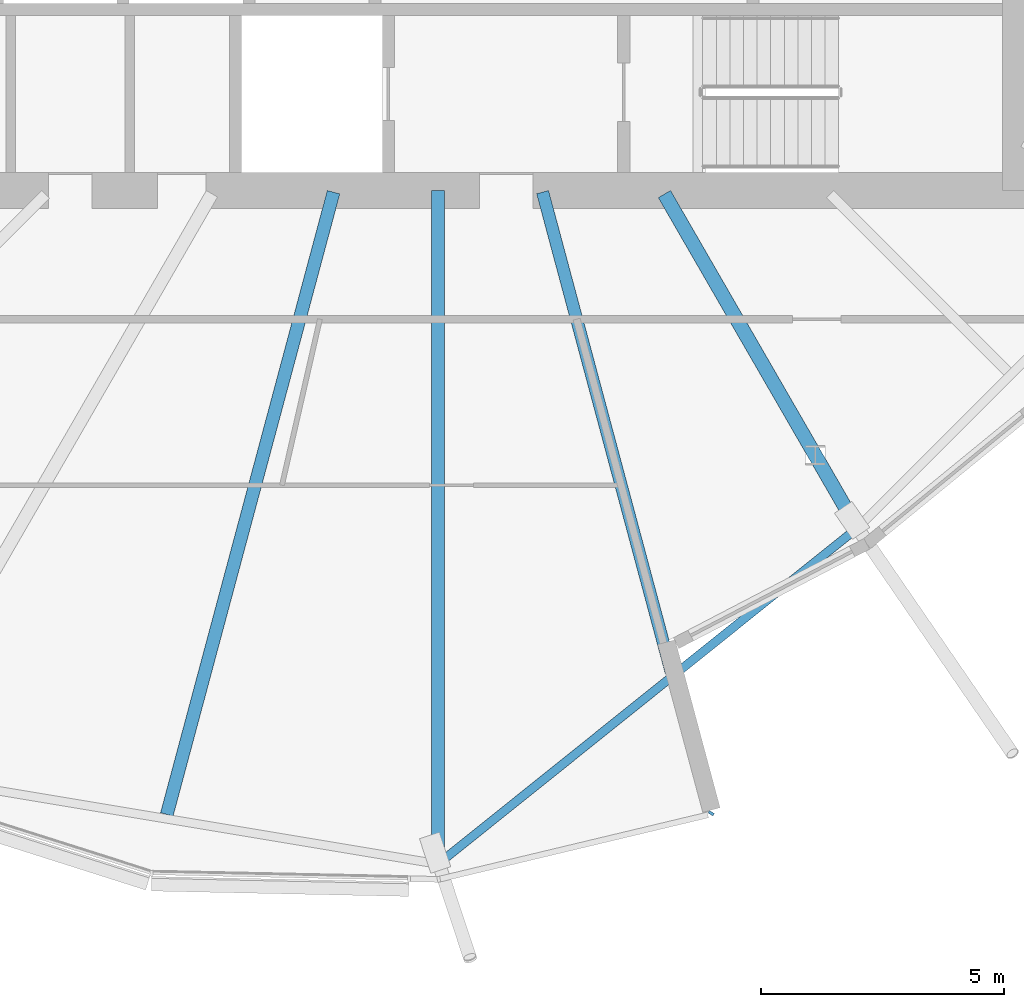
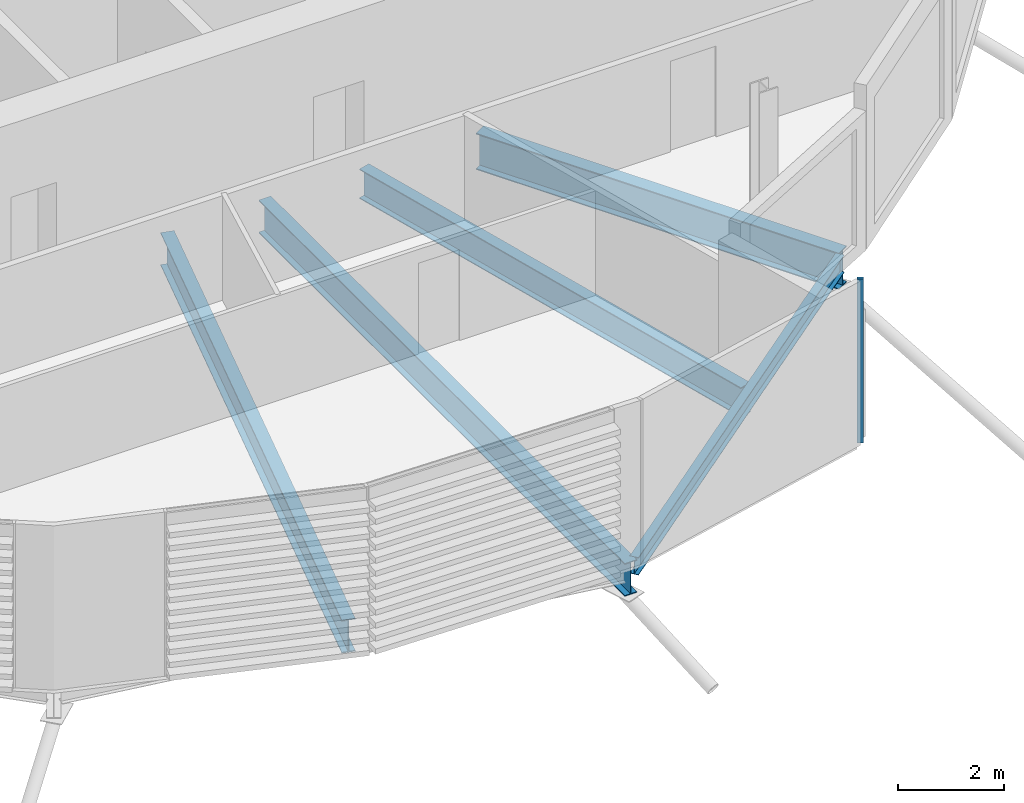
# One storey, part 12 of 39: 5 beams, 1 member, 1 element without a shape of its own.
"""IFC4 building model written with IfcOpenShell, lengths in metres."""

from ifc_helpers import new_model, si_unit, direction, frame, origin, origin_2d, place, context, subcontext, project, spatial, rectangle, i_section, extrude, material, material_profile, profile_set, type_object, element, aggregate, save


model = new_model("IFC4")

# Units and contexts
model_context = context("Model", 3, precision=1e-05, world=origin(), true_north=direction((0.0, 1.0)))
body_context = subcontext(model_context, "Body", "Model", "MODEL_VIEW")
ifc_project = project(units=[si_unit("LENGTHUNIT", "METRE"), si_unit("AREAUNIT", "SQUARE_METRE"), si_unit("VOLUMEUNIT", "CUBIC_METRE"), si_unit("PLANEANGLEUNIT", "RADIAN"), si_unit("MASSUNIT", "GRAM", prefix="KILO")], contexts=[model_context])

# Site, building, storey
site_placement = place(None, origin())
site = spatial("IfcSite", under=ifc_project, at=site_placement, CompositionType="ELEMENT")
building_placement = place(site_placement, origin())
building = spatial("IfcBuilding", under=site, at=building_placement, Name="Rimbun Link Towers", CompositionType="ELEMENT")
storey_placement = place(building_placement, frame((0.0, 0.0, 96.800048828125)))
storey = spatial("IfcBuildingStorey", under=building, at=storey_placement, Name="L23", CompositionType="ELEMENT", Elevation=96.800048828125)

# Curtain wall, member
ifc_material_1 = material(Name="Aluminium 6063-T6 and low-iron glass", Category="aluminium")
curtain_wall_type = type_object("IfcCurtainWallType", Name="CW1-Z2 unitised vision wall (zone 2)", PredefinedType="NOTDEFINED", material=ifc_material_1)
curtain_wall_placement = place(storey_placement, origin())
curtain_wall = element("IfcCurtainWall", 1, at=curtain_wall_placement, inside=storey, type_object=curtain_wall_type, Name="CW1 L23 T2", PredefinedType="NOTDEFINED")
ifc_material_2 = material(Name="Aluminium 6063-T6", Category="aluminium")
ifc_material_profile_1 = material_profile(ifc_material_2, rectangle(XDim=0.1201171875, YDim=0.06005859375, at=origin_2d()), Name="MULLION 60X120")
ifc_profile_set_1 = profile_set([ifc_material_profile_1], Name="Aluminium 6063-T6")
member_type = type_object("IfcMemberType", Name="CW1 mullion 60X120", PredefinedType="MULLION", material=ifc_profile_set_1)
member_placement = place(storey_placement, frame((37.3740234375, -20.826904296875, 0.0), z_axis=(0.0, 0.0, 1.0), x_axis=(0.859188553098, -0.511659095712, 0.0)))
member = element("IfcMember", 2, at=member_placement, type_object=member_type, Name="CW1 mullion", PredefinedType="MULLION", context=body_context, shape_type="SweptSolid", body=[
    extrude(rectangle(XDim=0.1201171875, YDim=0.06005859375, at=origin_2d()), origin(), (0.0, 0.0, 1.0), 3.800048828125),
])
aggregate(curtain_wall, [member])

# Beams
ifc_material_3 = material(Name="Steel S355J2", Category="steel")
ifc_material_profile_2 = material_profile(ifc_material_3, i_section(OverallWidth=0.177978515625, OverallDepth=0.406494140625, WebThickness=0.0078125, FlangeThickness=0.0126953125, at=origin_2d()), Name="UB 406x178x60")
ifc_profile_set_2 = profile_set([ifc_material_profile_2], Name="Steel S355J2")
beam_type_1 = type_object("IfcBeamType", Name="UB 406x178x60", PredefinedType="BEAM", material=ifc_profile_set_2)
beam_1_placement = place(storey_placement, frame((31.884033203125, -21.764404296875, -0.36328125), z_axis=(0.780405195774, 0.625274124212, 0.0), x_axis=(-0.625274124212, 0.780405195774, 0.0)))
element("IfcBeam", 3, at=beam_1_placement, inside=storey, type_object=beam_type_1, Name="Edge beam T2 L23 15-17", PredefinedType="BEAM", context=body_context, shape_type="SweptSolid", body=[
    extrude(i_section(OverallWidth=0.177978515625, OverallDepth=0.406494140625, WebThickness=0.0078125, FlangeThickness=0.0126953125, at=origin_2d()), origin(), (0.0, 0.0, 1.0), 10.74267578125),
])
ifc_material_4 = material(Name="Steel S355J2", Category="steel")
ifc_material_profile_3 = material_profile(ifc_material_4, i_section(OverallWidth=0.253662109375, OverallDepth=0.68359375, WebThickness=0.012451171875, FlangeThickness=0.01904296875, at=origin_2d()), Name="UB 686x254x140")
ifc_profile_set_3 = profile_set([ifc_material_profile_3], Name="Steel S355J2")
beam_type_2 = type_object("IfcBeamType", Name="UB 686x254x140", PredefinedType="BEAM", material=ifc_profile_set_3)
beam_2_placement = place(storey_placement, frame((33.902587890625, -8.03369140625, -0.501953125), z_axis=(0.258820016811, -0.96592556592, 0.0), x_axis=(0.96592556592, 0.258820016811, 0.0)))
element("IfcBeam", 4, at=beam_2_placement, inside=storey, type_object=beam_type_2, Name="Radial beam T2 L23 16", PredefinedType="BEAM", context=body_context, shape_type="SweptSolid", body=[
    extrude(i_section(OverallWidth=0.253662109375, OverallDepth=0.68359375, WebThickness=0.012451171875, FlangeThickness=0.01904296875, at=origin_2d()), origin(), (0.0, 0.0, 1.0), 10.22607421875),
])
ifc_material_5 = material(Name="Steel S355J2", Category="steel")
ifc_material_profile_4 = material_profile(ifc_material_5, i_section(OverallWidth=0.2666015625, OverallDepth=0.76220703125, WebThickness=0.014404296875, FlangeThickness=0.021484375, at=origin_2d()), Name="UB 762x267x173")
ifc_profile_set_4 = profile_set([ifc_material_profile_4], Name="Steel S355J2")
beam_type_3 = type_object("IfcBeamType", Name="UB 762x267x173", PredefinedType="BEAM", material=ifc_profile_set_4)
beam_3_placement = place(storey_placement, frame((29.596923828125, -8.035400390625, -0.541259765625), z_axis=(-0.258820400429, -0.965925463129, 0.0), x_axis=(0.965925463129, -0.258820400429, 0.0)))
element("IfcBeam", 5, at=beam_3_placement, inside=storey, type_object=beam_type_3, Name="Radial beam T2 L23 14", PredefinedType="BEAM", context=body_context, shape_type="SweptSolid", body=[
    extrude(i_section(OverallWidth=0.2666015625, OverallDepth=0.76220703125, WebThickness=0.014404296875, FlangeThickness=0.021484375, at=origin_2d()), origin(), (0.0, 0.0, 1.0), 13.267333984375),
])
beam_4_placement = place(storey_placement, frame((31.75, -8.0009765625, -0.541259765625), z_axis=(0.0, -1.0, 0.0), x_axis=(1.0, 0.0, 0.0)))
element("IfcBeam", 6, at=beam_4_placement, inside=storey, type_object=beam_type_3, Name="Radial beam T2 L23 15", PredefinedType="BEAM", context=body_context, shape_type="SweptSolid", body=[
    extrude(i_section(OverallWidth=0.2666015625, OverallDepth=0.76220703125, WebThickness=0.014404296875, FlangeThickness=0.021484375, at=origin_2d()), origin(), (0.0, 0.0, 1.0), 13.870849609375),
])
ifc_material_6 = material(Name="Steel S355J2", Category="steel")
ifc_material_profile_5 = material_profile(ifc_material_6, i_section(OverallWidth=0.29248046875, OverallDepth=0.8408203125, WebThickness=0.0126953125, FlangeThickness=0.021728515625, at=origin_2d()), Name="UB 838x292x194")
ifc_profile_set_5 = profile_set([ifc_material_profile_5], Name="Steel S355J2")
beam_type_4 = type_object("IfcBeamType", Name="UB 838x292x194", PredefinedType="BEAM", material=ifc_profile_set_5)
beam_5_placement = place(storey_placement, frame((36.41162109375, -8.073974609375, -0.580322265625), z_axis=(0.499992902603, -0.86602950143, 0.0), x_axis=(0.86602950143, 0.499992902603, 0.0)))
element("IfcBeam", 7, at=beam_5_placement, inside=storey, type_object=beam_type_4, Name="Radial beam T2 L23 17", PredefinedType="BEAM", context=body_context, shape_type="SweptSolid", body=[
    extrude(i_section(OverallWidth=0.29248046875, OverallDepth=0.8408203125, WebThickness=0.0126953125, FlangeThickness=0.021728515625, at=origin_2d()), origin(), (0.0, 0.0, 1.0), 7.9443359375),
])

save(model, "model.ifc")
